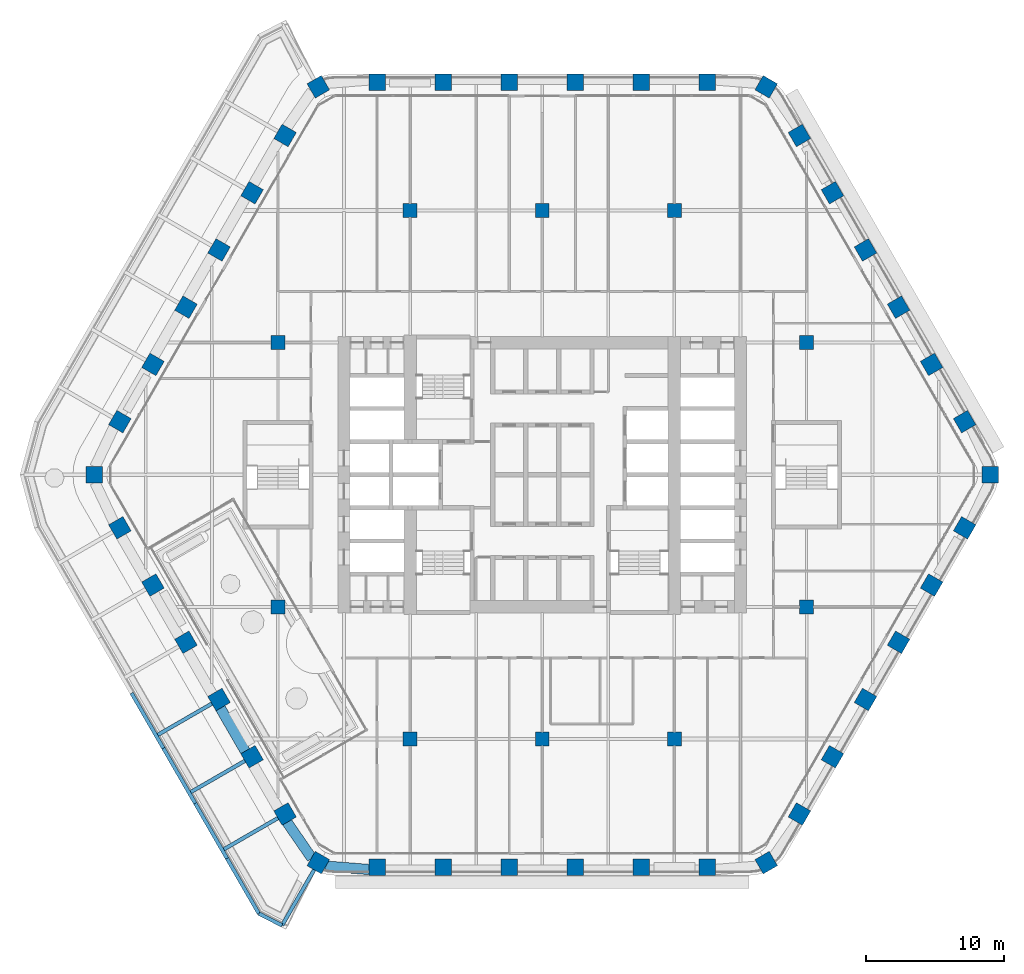
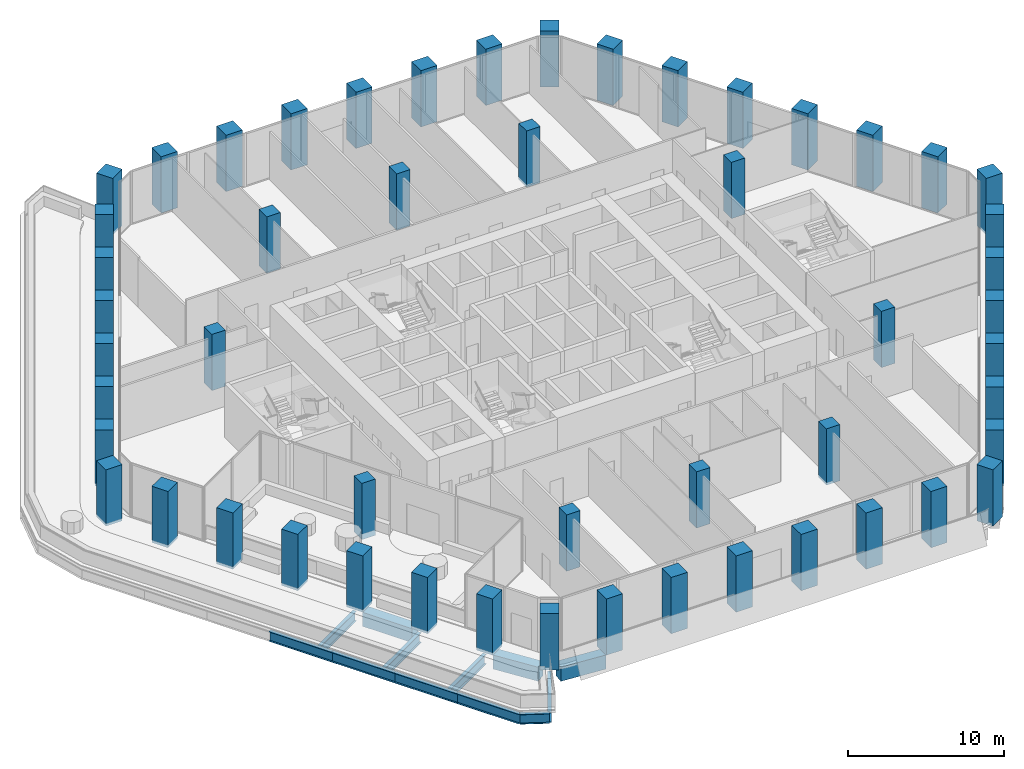
# One storey, part 1 of 27: 52 columns, 12 beams.
"""IFC4 building model written with IfcOpenShell, lengths in metres."""

from ifc_helpers import new_model, si_unit, direction, frame, origin, origin_2d, place, context, subcontext, project, spatial, rectangle, i_section, extrude, material, material_profile, profile_set, type_object, element, save


model = new_model("IFC4")

# Units and contexts
model_context = context("Model", 3, precision=1e-05, world=origin(), true_north=direction((0.0, 1.0)))
body_context = subcontext(model_context, "Body", "Model", "MODEL_VIEW")
ifc_project = project(units=[si_unit("LENGTHUNIT", "METRE"), si_unit("AREAUNIT", "SQUARE_METRE"), si_unit("VOLUMEUNIT", "CUBIC_METRE"), si_unit("PLANEANGLEUNIT", "RADIAN"), si_unit("MASSUNIT", "GRAM", prefix="KILO")], contexts=[model_context])

# Site, building, storey
site_placement = place(None, origin())
site = spatial("IfcSite", under=ifc_project, at=site_placement, CompositionType="ELEMENT")
building_placement = place(site_placement, origin())
building = spatial("IfcBuilding", under=site, at=building_placement, Name="Kolab Exchange Tower", CompositionType="ELEMENT")
storey_placement = place(building_placement, frame((0.0, 0.0, 122.89990234375)))
storey = spatial("IfcBuildingStorey", under=building, at=storey_placement, Name="L24", CompositionType="ELEMENT", Elevation=122.89990234375)

# Columns
ifc_material_1 = material(Name="Concrete C70/85", Category="concrete")
ifc_material_profile_1 = material_profile(ifc_material_1, rectangle(XDim=1.0, YDim=1.0, at=origin_2d()), Name="RC1000")
ifc_profile_set_1 = profile_set([ifc_material_profile_1], Name="Concrete C70/85")
column_type_1 = type_object("IfcColumnType", Name="INTERIOR COLUMN 1000 SQ C70/85", PredefinedType="COLUMN", material=ifc_profile_set_1)
for number, where, z_axis, x_axis, name in (
    (1, (-19.199951171875, -9.60009765625, -0.199951171875), (0.0, 0.0, 1.0), (1.0, 0.0, 0.0), "col/L24/I-I9"),
    (2, (-19.199951171875, 9.60009765625, -0.199951171875), (0.0, 0.0, 1.0), (1.0, 0.0, 0.0), "col/L24/I-I13"),
    (3, (-9.60009765625, -19.199951171875, -0.199951171875), (0.0, 0.0, 1.0), (1.0, 0.0, 0.0), "col/L24/I-K7"),
    (4, (-9.60009765625, 19.199951171875, -0.199951171875), (0.0, 0.0, 1.0), (1.0, 0.0, 0.0), "col/L24/I-K15"),
    (5, (0.0, -19.199951171875, -0.199951171875), (0.0, 0.0, 1.0), (1.0, 0.0, 0.0), "col/L24/I-M7"),
    (6, (0.0, 19.199951171875, -0.199951171875), (0.0, 0.0, 1.0), (1.0, 0.0, 0.0), "col/L24/I-M15"),
    (7, (9.60009765625, -19.199951171875, -0.199951171875), (0.0, 0.0, 1.0), (1.0, 0.0, 0.0), "col/L24/I-O7"),
    (8, (9.60009765625, 19.199951171875, -0.199951171875), (0.0, 0.0, 1.0), (1.0, 0.0, 0.0), "col/L24/I-O15"),
    (9, (19.199951171875, -9.60009765625, -0.199951171875), (0.0, 0.0, 1.0), (1.0, 0.0, 0.0), "col/L24/I-Q9"),
    (10, (19.199951171875, 9.60009765625, -0.199951171875), (0.0, 0.0, 1.0), (1.0, 0.0, 0.0), "col/L24/I-Q13"),
):
    element("IfcColumn", number, at=place(storey_placement, frame(where, z_axis=z_axis, x_axis=x_axis)), inside=storey, type_object=column_type_1, Name=name, PredefinedType="COLUMN", context=body_context, shape_type="SweptSolid", body=[
        extrude(rectangle(XDim=1.0, YDim=1.0, at=origin_2d()), origin(), (0.0, 0.0, 1.0), 4.400146484375),
    ])
ifc_material_profile_2 = material_profile(ifc_material_1, rectangle(XDim=1.199951171875, YDim=1.199951171875, at=origin_2d()), Name="RC1200")
ifc_profile_set_2 = profile_set([ifc_material_profile_2], Name="Concrete C70/85")
column_type_2 = type_object("IfcColumnType", Name="PERIMETER COLUMN 1200 SQ C70/85", PredefinedType="COLUMN", material=ifc_profile_set_2)
for number, where, z_axis, x_axis, name in (
    (11, (-16.26806640625, 28.177001953125, -0.199951171875), (0.0, 0.0, 1.0), (0.866025403784, 0.5, 0.0), "col/L24/F1-01"),
    (12, (-12.0, 28.49853515625, -0.199951171875), (0.0, 0.0, 1.0), (1.0, 0.0, 0.0), "col/L24/F1-02"),
    (13, (-7.199951171875, 28.49853515625, -0.199951171875), (0.0, 0.0, 1.0), (1.0, 0.0, 0.0), "col/L24/F1-03"),
    (14, (-2.39990234375, 28.49853515625, -0.199951171875), (0.0, 0.0, 1.0), (1.0, 0.0, 0.0), "col/L24/F1-04"),
    (15, (2.39990234375, 28.49853515625, -0.199951171875), (0.0, 0.0, 1.0), (1.0, 0.0, 0.0), "col/L24/F1-05"),
    (16, (7.199951171875, 28.49853515625, -0.199951171875), (0.0, 0.0, 1.0), (1.0, 0.0, 0.0), "col/L24/F1-06"),
    (17, (12.0, 28.49853515625, -0.199951171875), (0.0, 0.0, 1.0), (1.0, 0.0, 0.0), "col/L24/F1-07"),
    (18, (16.26806640625, 28.177001953125, -0.199951171875), (0.0, 0.0, 1.0), (0.5, 0.866025403784, 0.0), "col/L24/F2-01"),
    (19, (18.680419921875, 24.6416015625, -0.199951171875), (0.0, 0.0, 1.0), (0.866025403784, 0.5, 0.0), "col/L24/F2-02"),
    (20, (21.080322265625, 20.484619140625, -0.199951171875), (0.0, 0.0, 1.0), (0.866025403784, 0.5, 0.0), "col/L24/F2-03"),
    (21, (23.48046875, 16.32763671875, -0.199951171875), (0.0, 0.0, 1.0), (0.866025403784, 0.5, 0.0), "col/L24/F2-04"),
    (22, (25.88037109375, 12.170654296875, -0.199951171875), (0.0, 0.0, 1.0), (0.866025403784, 0.5, 0.0), "col/L24/F2-05"),
    (23, (28.2802734375, 8.013916015625, -0.199951171875), (0.0, 0.0, 1.0), (0.866025403784, 0.5, 0.0), "col/L24/F2-06"),
    (24, (30.680419921875, 3.85693359375, -0.199951171875), (0.0, 0.0, 1.0), (0.866025403784, 0.5, 0.0), "col/L24/F2-07"),
    (25, (32.535888671875, 0.0, -0.199951171875), (0.0, 0.0, 1.0), (1.0, 0.0, 0.0), "col/L24/F3-01"),
    (26, (30.680419921875, -3.85693359375, -0.199951171875), (0.0, 0.0, 1.0), (0.5, 0.866025403784, 0.0), "col/L24/F3-02"),
    (27, (28.2802734375, -8.013916015625, -0.199951171875), (0.0, 0.0, 1.0), (0.5, 0.866025403784, 0.0), "col/L24/F3-03"),
    (28, (25.88037109375, -12.170654296875, -0.199951171875), (0.0, 0.0, 1.0), (0.5, 0.866025403784, 0.0), "col/L24/F3-04"),
    (29, (23.48046875, -16.32763671875, -0.199951171875), (0.0, 0.0, 1.0), (0.5, 0.866025403784, 0.0), "col/L24/F3-05"),
    (30, (21.080322265625, -20.484619140625, -0.199951171875), (0.0, 0.0, 1.0), (0.5, 0.866025403784, 0.0), "col/L24/F3-06"),
    (31, (18.680419921875, -24.6416015625, -0.199951171875), (0.0, 0.0, 1.0), (0.5, 0.866025403784, 0.0), "col/L24/F3-07"),
    (32, (16.26806640625, -28.177001953125, -0.199951171875), (0.0, 0.0, 1.0), (0.866025403784, 0.5, 0.0), "col/L24/F4-01"),
    (33, (12.0, -28.49853515625, -0.199951171875), (0.0, 0.0, 1.0), (1.0, 0.0, 0.0), "col/L24/F4-02"),
    (34, (7.199951171875, -28.49853515625, -0.199951171875), (0.0, 0.0, 1.0), (1.0, 0.0, 0.0), "col/L24/F4-03"),
    (35, (2.39990234375, -28.49853515625, -0.199951171875), (0.0, 0.0, 1.0), (1.0, 0.0, 0.0), "col/L24/F4-04"),
    (36, (-2.39990234375, -28.49853515625, -0.199951171875), (0.0, 0.0, 1.0), (1.0, 0.0, 0.0), "col/L24/F4-05"),
    (37, (-7.199951171875, -28.49853515625, -0.199951171875), (0.0, 0.0, 1.0), (1.0, 0.0, 0.0), "col/L24/F4-06"),
    (38, (-12.0, -28.49853515625, -0.199951171875), (0.0, 0.0, 1.0), (1.0, 0.0, 0.0), "col/L24/F4-07"),
    (39, (-16.26806640625, -28.177001953125, -0.199951171875), (0.0, 0.0, 1.0), (0.5, 0.866025403784, 0.0), "col/L24/F5-01"),
    (40, (-18.680419921875, -24.6416015625, -0.199951171875), (0.0, 0.0, 1.0), (0.866025403784, 0.5, 0.0), "col/L24/F5-02"),
    (41, (-21.080322265625, -20.484619140625, -0.199951171875), (0.0, 0.0, 1.0), (0.866025403784, 0.5, 0.0), "col/L24/F5-03"),
    (42, (-23.48046875, -16.32763671875, -0.199951171875), (0.0, 0.0, 1.0), (0.866025403784, 0.5, 0.0), "col/L24/F5-04"),
    (43, (-25.88037109375, -12.170654296875, -0.199951171875), (0.0, 0.0, 1.0), (0.866025403784, 0.5, 0.0), "col/L24/F5-05"),
    (44, (-28.2802734375, -8.013916015625, -0.199951171875), (0.0, 0.0, 1.0), (0.866025403784, 0.5, 0.0), "col/L24/F5-06"),
    (45, (-30.680419921875, -3.85693359375, -0.199951171875), (0.0, 0.0, 1.0), (0.866025403784, 0.5, 0.0), "col/L24/F5-07"),
    (46, (-32.535888671875, 0.0, -0.199951171875), (0.0, 0.0, 1.0), (1.0, 0.0, 0.0), "col/L24/F6-01"),
    (47, (-30.680419921875, 3.85693359375, -0.199951171875), (0.0, 0.0, 1.0), (0.5, 0.866025403784, 0.0), "col/L24/F6-02"),
    (48, (-28.2802734375, 8.013916015625, -0.199951171875), (0.0, 0.0, 1.0), (0.5, 0.866025403784, 0.0), "col/L24/F6-03"),
    (49, (-25.88037109375, 12.170654296875, -0.199951171875), (0.0, 0.0, 1.0), (0.5, 0.866025403784, 0.0), "col/L24/F6-04"),
    (50, (-23.48046875, 16.32763671875, -0.199951171875), (0.0, 0.0, 1.0), (0.5, 0.866025403784, 0.0), "col/L24/F6-05"),
    (51, (-21.080322265625, 20.484619140625, -0.199951171875), (0.0, 0.0, 1.0), (0.5, 0.866025403784, 0.0), "col/L24/F6-06"),
    (52, (-18.680419921875, 24.6416015625, -0.199951171875), (0.0, 0.0, 1.0), (0.5, 0.866025403784, 0.0), "col/L24/F6-07"),
):
    element("IfcColumn", number, at=place(storey_placement, frame(where, z_axis=z_axis, x_axis=x_axis)), inside=storey, type_object=column_type_2, Name=name, PredefinedType="COLUMN", context=body_context, shape_type="SweptSolid", body=[
        extrude(rectangle(XDim=1.199951171875, YDim=1.199951171875, at=origin_2d()), origin(), (0.0, 0.0, 1.0), 4.400146484375),
    ])

# Beams
ifc_material_2 = material(Name="Steel S355", Category="steel")
ifc_material_profile_3 = material_profile(ifc_material_2, i_section(OverallWidth=0.26708984375, OverallDepth=0.761962890625, WebThickness=0.014404296875, FlangeThickness=0.021484375, at=origin_2d()), Name="W760X173")
ifc_profile_set_3 = profile_set([ifc_material_profile_3], Name="Steel S355")
beam_type_1 = type_object("IfcBeamType", Name="FLOOR GIRDER W760X173", PredefinedType="BEAM", material=ifc_profile_set_3)
beam_1_placement = place(storey_placement, frame((-16.56787109375, -28.696533203125, -0.640869140625), z_axis=(-0.500004747635, -0.866022662719, 0.0), x_axis=(0.866022662719, -0.500004747635, 0.0)))
element("IfcBeam", 53, at=beam_1_placement, inside=storey, type_object=beam_type_1, Name="beam/L24/ledge/rib-00", PredefinedType="BEAM", context=body_context, shape_type="SweptSolid", body=[
    extrude(i_section(OverallWidth=0.26708984375, OverallDepth=0.761962890625, WebThickness=0.014404296875, FlangeThickness=0.021484375, at=origin_2d()), origin(), (0.0, 0.0, 1.0), 4.66650390625),
])
beam_2_placement = place(storey_placement, frame((-19.199951171875, -24.94140625, -0.640869140625), z_axis=(-0.866020560687, -0.500008388397, 0.0), x_axis=(0.500008388397, -0.866020560687, 0.0)))
element("IfcBeam", 54, at=beam_2_placement, inside=storey, type_object=beam_type_1, Name="beam/L24/ledge/rib-01", PredefinedType="BEAM", context=body_context, shape_type="SweptSolid", body=[
    extrude(i_section(OverallWidth=0.26708984375, OverallDepth=0.761962890625, WebThickness=0.014404296875, FlangeThickness=0.021484375, at=origin_2d()), origin(), (0.0, 0.0, 1.0), 4.533203125),
])
beam_3_placement = place(storey_placement, frame((-21.60009765625, -20.78466796875, -0.640869140625), z_axis=(-0.866030417568, -0.499991315771, 0.0), x_axis=(0.499991315771, -0.866030417568, 0.0)))
element("IfcBeam", 55, at=beam_3_placement, inside=storey, type_object=beam_type_1, Name="beam/L24/ledge/rib-02", PredefinedType="BEAM", context=body_context, shape_type="SweptSolid", body=[
    extrude(i_section(OverallWidth=0.26708984375, OverallDepth=0.761962890625, WebThickness=0.014404296875, FlangeThickness=0.021484375, at=origin_2d()), origin(), (0.0, 0.0, 1.0), 4.53271484375),
])
beam_4_placement = place(storey_placement, frame((-24.0, -16.627685546875, -0.640869140625), z_axis=(-0.866020560687, -0.500008388397, 0.0), x_axis=(0.500008388397, -0.866020560687, 0.0)))
element("IfcBeam", 56, at=beam_4_placement, inside=storey, type_object=beam_type_1, Name="beam/L24/ledge/rib-03", PredefinedType="BEAM", context=body_context, shape_type="SweptSolid", body=[
    extrude(i_section(OverallWidth=0.26708984375, OverallDepth=0.761962890625, WebThickness=0.014404296875, FlangeThickness=0.021484375, at=origin_2d()), origin(), (0.0, 0.0, 1.0), 4.533203125),
])
beam_5_placement = place(storey_placement, frame((-18.9013671875, -32.738037109375, -0.640869140625), z_axis=(-0.889945032592, 0.456067800843, 0.0), x_axis=(-0.456067800843, -0.889945032592, 0.0)))
element("IfcBeam", 57, at=beam_5_placement, inside=storey, type_object=beam_type_1, Name="beam/L24/ledge/edge-00", PredefinedType="BEAM", context=body_context, shape_type="SweptSolid", body=[
    extrude(i_section(OverallWidth=0.26708984375, OverallDepth=0.761962890625, WebThickness=0.014404296875, FlangeThickness=0.021484375, at=origin_2d()), origin(), (0.0, 0.0, 1.0), 1.892333984375),
])
beam_6_placement = place(storey_placement, frame((-20.58544921875, -31.875, -0.640869140625), z_axis=(-0.499978438088, 0.866037852202, 0.0), x_axis=(-0.866037852202, -0.499978438088, 0.0)))
element("IfcBeam", 58, at=beam_6_placement, inside=storey, type_object=beam_type_1, Name="beam/L24/ledge/edge-01", PredefinedType="BEAM", context=body_context, shape_type="SweptSolid", body=[
    extrude(i_section(OverallWidth=0.26708984375, OverallDepth=0.761962890625, WebThickness=0.014404296875, FlangeThickness=0.021484375, at=origin_2d()), origin(), (0.0, 0.0, 1.0), 4.623291015625),
])
beam_7_placement = place(storey_placement, frame((-22.89697265625, -27.87109375, -0.640869140625), z_axis=(-0.500001304485, 0.866024650639, 0.0), x_axis=(-0.866024650639, -0.500001304485, 0.0)))
element("IfcBeam", 59, at=beam_7_placement, inside=storey, type_object=beam_type_1, Name="beam/L24/ledge/edge-02", PredefinedType="BEAM", context=body_context, shape_type="SweptSolid", body=[
    extrude(i_section(OverallWidth=0.26708984375, OverallDepth=0.761962890625, WebThickness=0.014404296875, FlangeThickness=0.021484375, at=origin_2d()), origin(), (0.0, 0.0, 1.0), 4.623046875),
])
beam_8_placement = place(storey_placement, frame((-25.20849609375, -23.867431640625, -0.640869140625), z_axis=(-0.499978438088, 0.866037852202, 0.0), x_axis=(-0.866037852202, -0.499978438088, 0.0)))
element("IfcBeam", 60, at=beam_8_placement, inside=storey, type_object=beam_type_1, Name="beam/L24/ledge/edge-03", PredefinedType="BEAM", context=body_context, shape_type="SweptSolid", body=[
    extrude(i_section(OverallWidth=0.26708984375, OverallDepth=0.761962890625, WebThickness=0.014404296875, FlangeThickness=0.021484375, at=origin_2d()), origin(), (0.0, 0.0, 1.0), 4.623291015625),
])
beam_9_placement = place(storey_placement, frame((-27.52001953125, -19.863525390625, -0.640869140625), z_axis=(-0.500040910048, 0.866001783069, 0.0), x_axis=(-0.866001783069, -0.500040910048, 0.0)))
element("IfcBeam", 61, at=beam_9_placement, inside=storey, type_object=beam_type_1, Name="beam/L24/ledge/edge-04", PredefinedType="BEAM", context=body_context, shape_type="SweptSolid", body=[
    extrude(i_section(OverallWidth=0.26708984375, OverallDepth=0.761962890625, WebThickness=0.014404296875, FlangeThickness=0.021484375, at=origin_2d()), origin(), (0.0, 0.0, 1.0), 4.623046875),
])
ifc_material_profile_4 = material_profile(ifc_material_1, rectangle(XDim=0.75, YDim=1.10009765625, at=origin_2d()), Name="RC750X1100")
ifc_profile_set_4 = profile_set([ifc_material_profile_4], Name="Concrete C70/85")
beam_type_2 = type_object("IfcBeamType", Name="SPANDREL BEAM 750X1100 C70/85", PredefinedType="BEAM", material=ifc_profile_set_4)
for number, where, z_axis, x_axis, name in (
    (62, (-12.56005859375, -28.678466796875, -0.75), (-0.996791038408, 0.080047646748, 0.0), (-0.080047646748, -0.996791038408, 0.0), "beam/L24/sp/F4-07"),
    (63, (-16.73486328125, -27.85791015625, -0.75), (-0.567661826262, 0.823261836237, 0.0), (-0.823261836237, -0.567661826262, 0.0), "beam/L24/sp/F5-01"),
):
    element("IfcBeam", number, at=place(storey_placement, frame(where, z_axis=z_axis, x_axis=x_axis)), inside=storey, type_object=beam_type_2, Name=name, PredefinedType="BEAM", context=body_context, shape_type="SweptSolid", body=[
        extrude(rectangle(XDim=0.75, YDim=1.10009765625, at=origin_2d()), origin(), (0.0, 0.0, 1.0), 3.20849609375),
    ])
beam_10_placement = place(storey_placement, frame((-21.55517578125, -20.112060546875, -0.75), z_axis=(-0.500013413428, 0.866017659399, 0.0), x_axis=(-0.866017659399, -0.500013413428, 0.0)))
element("IfcBeam", 64, at=beam_10_placement, inside=storey, type_object=beam_type_2, Name="beam/L24/sp/F5-03", PredefinedType="BEAM", context=body_context, shape_type="SweptSolid", body=[
    extrude(rectangle(XDim=0.75, YDim=1.10009765625, at=origin_2d()), origin(), (0.0, 0.0, 1.0), 3.68017578125),
])

save(model, "model.ifc")
